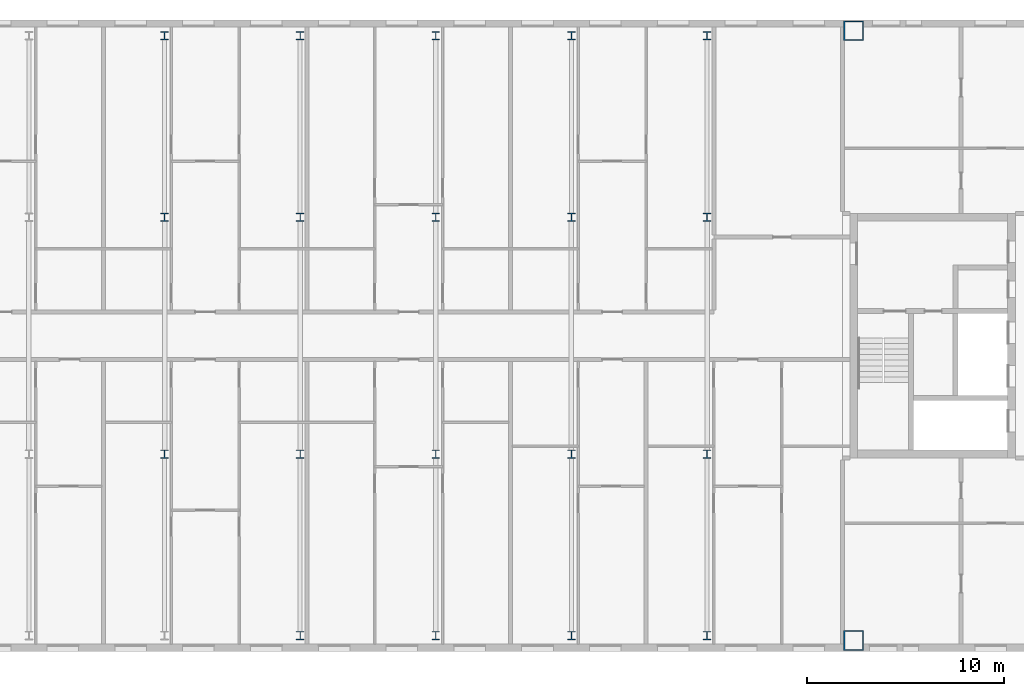
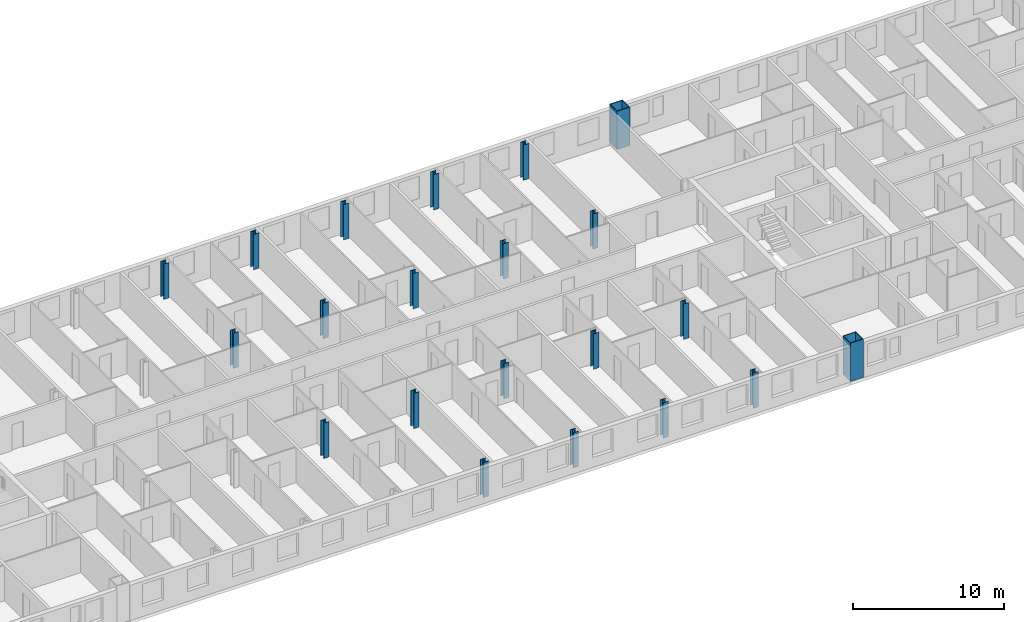
# One storey, part 2 of 19: 21 columns.
"""IFC4 building model written with IfcOpenShell, lengths in metres."""

from ifc_helpers import new_model, si_unit, direction, frame, origin, origin_2d, place, context, subcontext, project, spatial, hollow_rectangle, i_section, extrude, material, material_profile, profile_set, type_object, element, save


model = new_model("IFC4")

# Units and contexts
model_context = context("Model", 3, precision=1e-05, world=origin(), true_north=direction((0.0, 1.0)))
body_context = subcontext(model_context, "Body", "Model", "MODEL_VIEW")
ifc_project = project(units=[si_unit("LENGTHUNIT", "METRE"), si_unit("AREAUNIT", "SQUARE_METRE"), si_unit("VOLUMEUNIT", "CUBIC_METRE"), si_unit("PLANEANGLEUNIT", "RADIAN"), si_unit("MASSUNIT", "GRAM", prefix="KILO")], contexts=[model_context])

# Site, building, storey
site_placement = place(None, origin())
site = spatial("IfcSite", under=ifc_project, at=site_placement, CompositionType="ELEMENT")
building_placement = place(site_placement, origin())
building = spatial("IfcBuilding", under=site, at=building_placement, Name="Tuart Gate Housing", CompositionType="ELEMENT")
storey_placement = place(building_placement, frame((0.0, 0.0, 209.0)))
storey = spatial("IfcBuildingStorey", under=building, at=storey_placement, Name="L59", CompositionType="ELEMENT", Elevation=209.0)

# Columns
ifc_material_1 = material(Name="Steel Grade 350", Category="steel")
ifc_material_profile_1 = material_profile(ifc_material_1, i_section(OverallWidth=0.39990234375, OverallDepth=0.429931640625, WebThickness=0.0400390625, FlangeThickness=0.0400390625, at=origin_2d()), Name="400WC361")
ifc_profile_set_1 = profile_set([ifc_material_profile_1], Name="Steel Grade 350")
column_type_1 = type_object("IfcColumnType", Name="Link column 400 WC361", PredefinedType="COLUMN", material=ifc_profile_set_1)
for number, where, z_axis, x_axis, name in (
    (1, (103.5, 54.800048828125, 0.0), (0.0, 0.0, 1.0), (1.0, 0.0, 0.0), "Link column line 1 point 4 L59"),
    (2, (110.375, 54.800048828125, 0.0), (0.0, 0.0, 1.0), (1.0, 0.0, 0.0), "Link column line 1 point 5 L59"),
    (3, (117.25, 54.800048828125, 0.0), (0.0, 0.0, 1.0), (1.0, 0.0, 0.0), "Link column line 1 point 6 L59"),
    (4, (124.125, 54.800048828125, 0.0), (0.0, 0.0, 1.0), (1.0, 0.0, 0.0), "Link column line 1 point 7 L59"),
    (5, (96.625, 64.0, 0.0), (0.0, 0.0, 1.0), (1.0, 0.0, 0.0), "Link column line 2 point 3 L59"),
    (6, (103.5, 64.0, 0.0), (0.0, 0.0, 1.0), (1.0, 0.0, 0.0), "Link column line 2 point 4 L59"),
    (7, (110.375, 64.0, 0.0), (0.0, 0.0, 1.0), (1.0, 0.0, 0.0), "Link column line 2 point 5 L59"),
    (8, (117.25, 64.0, 0.0), (0.0, 0.0, 1.0), (1.0, 0.0, 0.0), "Link column line 2 point 6 L59"),
    (9, (124.125, 64.0, 0.0), (0.0, 0.0, 1.0), (1.0, 0.0, 0.0), "Link column line 2 point 7 L59"),
    (10, (96.625, 76.0, 0.0), (0.0, 0.0, 1.0), (1.0, 0.0, 0.0), "Link column line 3 point 3 L59"),
    (11, (103.5, 76.0, 0.0), (0.0, 0.0, 1.0), (1.0, 0.0, 0.0), "Link column line 3 point 4 L59"),
    (12, (110.375, 76.0, 0.0), (0.0, 0.0, 1.0), (1.0, 0.0, 0.0), "Link column line 3 point 5 L59"),
    (13, (117.25, 76.0, 0.0), (0.0, 0.0, 1.0), (1.0, 0.0, 0.0), "Link column line 3 point 6 L59"),
    (14, (124.125, 76.0, 0.0), (0.0, 0.0, 1.0), (1.0, 0.0, 0.0), "Link column line 3 point 7 L59"),
    (15, (96.625, 85.199951171875, 0.0), (0.0, 0.0, 1.0), (1.0, 0.0, 0.0), "Link column line 4 point 3 L59"),
    (16, (103.5, 85.199951171875, 0.0), (0.0, 0.0, 1.0), (1.0, 0.0, 0.0), "Link column line 4 point 4 L59"),
    (17, (110.375, 85.199951171875, 0.0), (0.0, 0.0, 1.0), (1.0, 0.0, 0.0), "Link column line 4 point 5 L59"),
    (18, (117.25, 85.199951171875, 0.0), (0.0, 0.0, 1.0), (1.0, 0.0, 0.0), "Link column line 4 point 6 L59"),
    (19, (124.125, 85.199951171875, 0.0), (0.0, 0.0, 1.0), (1.0, 0.0, 0.0), "Link column line 4 point 7 L59"),
):
    element("IfcColumn", number, at=place(storey_placement, frame(where, z_axis=z_axis, x_axis=x_axis)), inside=storey, type_object=column_type_1, Name=name, PredefinedType="COLUMN", context=body_context, shape_type="SweptSolid", body=[
        extrude(i_section(OverallWidth=0.39990234375, OverallDepth=0.429931640625, WebThickness=0.0400390625, FlangeThickness=0.0400390625, at=origin_2d()), origin(), (0.0, 0.0, 1.0), 2.85009765625),
    ])
ifc_material_2 = material(Name="Steel Grade 350", Category="steel")
ifc_material_profile_2 = material_profile(ifc_material_2, hollow_rectangle(XDim=1.0, YDim=1.0, WallThickness=0.054931640625, at=origin_2d()), Name="BOX 1000x1000x55")
ifc_profile_set_2 = profile_set([ifc_material_profile_2], Name="Steel Grade 350")
column_type_2 = type_object("IfcColumnType", Name="Mega column BOX 1000x1000x55", PredefinedType="COLUMN", material=ifc_profile_set_2)
for number, where, z_axis, x_axis, name in (
    (20, (131.550048828125, 54.550048828125, 0.0), (0.0, 0.0, 1.0), (1.0, 0.0, 0.0), "Mega column B south-west L59"),
    (21, (131.550048828125, 85.449951171875, 0.0), (0.0, 0.0, 1.0), (1.0, 0.0, 0.0), "Mega column B north-west L59"),
):
    element("IfcColumn", number, at=place(storey_placement, frame(where, z_axis=z_axis, x_axis=x_axis)), inside=storey, type_object=column_type_2, Name=name, PredefinedType="COLUMN", context=body_context, shape_type="SweptSolid", body=[
        extrude(hollow_rectangle(XDim=1.0, YDim=1.0, WallThickness=0.054931640625, at=origin_2d()), origin(), (0.0, 0.0, 1.0), 3.10009765625),
    ])

save(model, "model.ifc")
